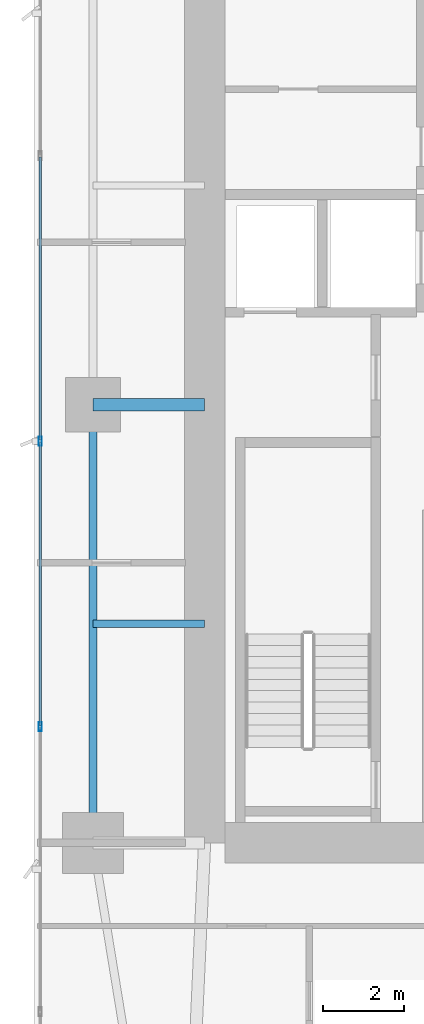
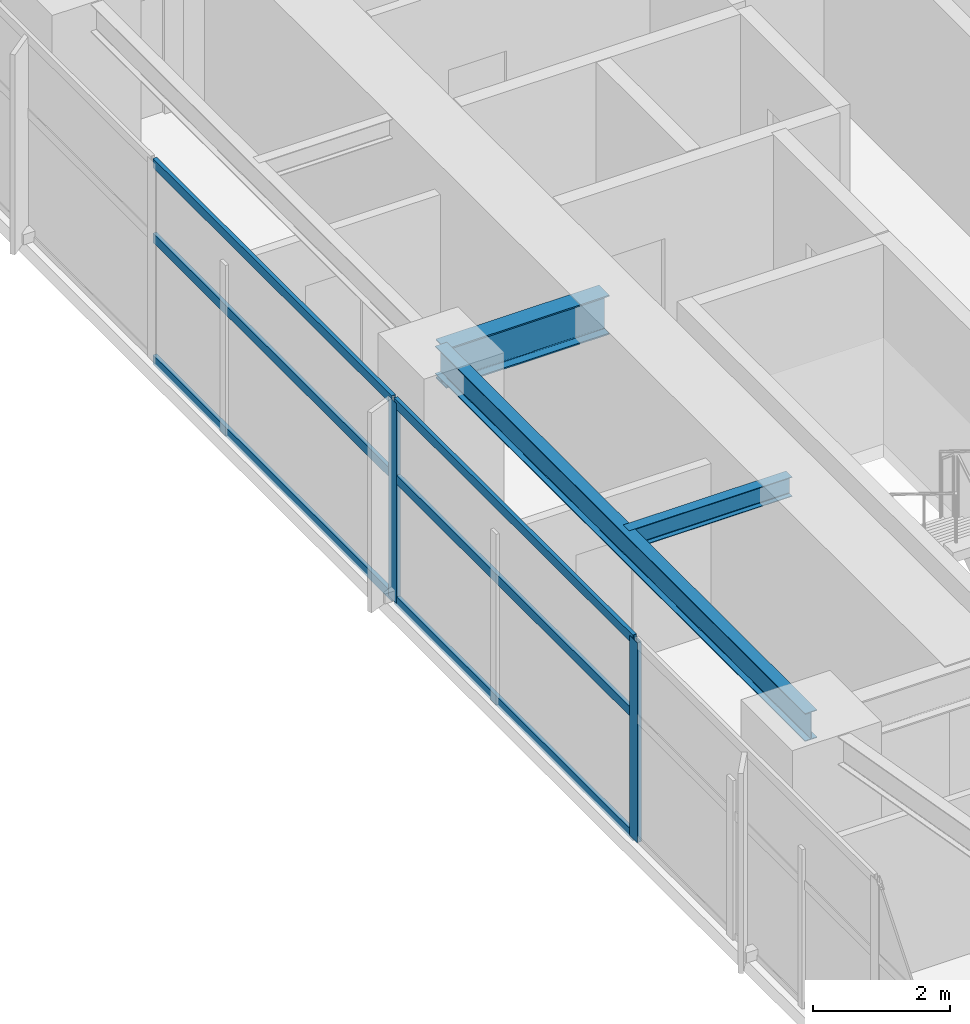
# One storey, part 8 of 29: 8 members, 3 beams, 1 element without a shape of its own.
"""IFC4 building model written with IfcOpenShell, lengths in metres."""

from ifc_helpers import new_model, si_unit, direction, frame, origin, origin_2d, place, context, subcontext, project, spatial, hollow_rectangle, i_section, extrude, material, layer, layer_set, material_profile, profile_set, type_object, element, aggregate, save


model = new_model("IFC4")

# Units and contexts
model_context = context("Model", 3, precision=1e-05, world=origin(), true_north=direction((0.0, 1.0)))
body_context = subcontext(model_context, "Body", "Model", "MODEL_VIEW")
ifc_project = project(units=[si_unit("LENGTHUNIT", "METRE"), si_unit("AREAUNIT", "SQUARE_METRE"), si_unit("VOLUMEUNIT", "CUBIC_METRE"), si_unit("PLANEANGLEUNIT", "RADIAN"), si_unit("MASSUNIT", "GRAM", prefix="KILO")], contexts=[model_context])

# Site, building, storey
site_placement = place(None, origin())
site = spatial("IfcSite", under=ifc_project, at=site_placement, CompositionType="ELEMENT")
building_placement = place(site_placement, origin())
building = spatial("IfcBuilding", under=site, at=building_placement, Name="Calvorn Quay Hotel", CompositionType="ELEMENT")
storey_placement = place(building_placement, frame((0.0, 0.0, 85.0)))
storey = spatial("IfcBuildingStorey", under=building, at=storey_placement, Name="L20", CompositionType="ELEMENT", Elevation=85.0)

# Beams
ifc_material_1 = material(Name="Steel Q390GJC", Category="steel")
ifc_material_profile_1 = material_profile(ifc_material_1, i_section(OverallWidth=0.300048828125, OverallDepth=0.699951171875, WebThickness=0.012939453125, FlangeThickness=0.02392578125, FilletRadius=0.02392578125, at=origin_2d()), Name="HN700x300x13x24")
ifc_profile_set_1 = profile_set([ifc_material_profile_1], Name="Steel Q390GJC")
beam_type_1 = type_object("IfcBeamType", Name="BM-GIRD-MAIN", PredefinedType="BEAM", material=ifc_profile_set_1)
beam_1_placement = place(storey_placement, frame((1.449951171875, 27.60009765625, 3.18994140625), z_axis=(1.0, 0.0, 0.0), x_axis=(0.0, 1.0, 0.0)))
element("IfcBeam", 1, at=beam_1_placement, inside=storey, type_object=beam_type_1, Name="Beam BG-L20-W2", PredefinedType="BEAM", context=body_context, shape_type="SweptSolid", body=[
    extrude(i_section(OverallWidth=0.300048828125, OverallDepth=0.699951171875, WebThickness=0.012939453125, FlangeThickness=0.02392578125, FilletRadius=0.02392578125, at=origin_2d()), origin(), (0.0, 0.0, 1.0), 2.75),
])
ifc_material_2 = material(Name="Steel Q355B", Category="steel")
ifc_material_profile_2 = material_profile(ifc_material_2, i_section(OverallWidth=0.175048828125, OverallDepth=0.35009765625, WebThickness=0.007080078125, FlangeThickness=0.010986328125, FilletRadius=0.013916015625, at=origin_2d()), Name="HN350x175x7x11")
ifc_profile_set_2 = profile_set([ifc_material_profile_2], Name="Steel Q355B")
beam_type_2 = type_object("IfcBeamType", Name="BM-JOIST-SEC", PredefinedType="JOIST", material=ifc_profile_set_2)
beam_2_placement = place(storey_placement, frame((1.449951171875, 22.199951171875, 3.364990234375), z_axis=(1.0, 0.0, 0.0), x_axis=(0.0, 1.0, 0.0)))
element("IfcBeam", 2, at=beam_2_placement, inside=storey, type_object=beam_type_2, Name="Beam BJ-L20-W3", PredefinedType="JOIST", context=body_context, shape_type="SweptSolid", body=[
    extrude(i_section(OverallWidth=0.175048828125, OverallDepth=0.35009765625, WebThickness=0.007080078125, FlangeThickness=0.010986328125, FilletRadius=0.013916015625, at=origin_2d()), origin(), (0.0, 0.0, 1.0), 2.75),
])
ifc_material_3 = material(Name="Steel Q355B", Category="steel")
ifc_material_profile_3 = material_profile(ifc_material_3, i_section(OverallWidth=0.199951171875, OverallDepth=0.5, WebThickness=0.010009765625, FlangeThickness=0.01611328125, FilletRadius=0.01611328125, at=origin_2d()), Name="HN500x200x10x16")
ifc_profile_set_3 = profile_set([ifc_material_profile_3], Name="Steel Q355B")
beam_type_3 = type_object("IfcBeamType", Name="BM-SPANDREL-Z1", PredefinedType="SPANDREL", material=ifc_profile_set_3)
beam_3_placement = place(storey_placement, frame((1.449951171875, 16.800048828125, 3.2900390625), z_axis=(0.0, 1.0, 0.0), x_axis=(-1.0, 0.0, 0.0)))
element("IfcBeam", 3, at=beam_3_placement, inside=storey, type_object=beam_type_3, Name="Beam BSP-L20-W2", PredefinedType="SPANDREL", context=body_context, shape_type="SweptSolid", body=[
    extrude(i_section(OverallWidth=0.199951171875, OverallDepth=0.5, WebThickness=0.010009765625, FlangeThickness=0.01611328125, FilletRadius=0.01611328125, at=origin_2d()), origin(), (0.0, 0.0, 1.0), 10.800048828125),
])

# Curtain wall, members
ifc_material_4 = material(Name="Pale Anodised Aluminium and Low-E Glass", Category="aluminium")
ifc_layer = layer(ifc_material_4, 0.219970703125)
ifc_layer_set = layer_set([ifc_layer], Name="CW-SYS-Z1")
curtain_wall_type = type_object("IfcCurtainWallType", Name="CW-SYS-Z1", PredefinedType="NOTDEFINED", material=ifc_layer_set)
curtain_wall_placement = place(storey_placement, origin())
curtain_wall = element("IfcCurtainWall", 4, at=curtain_wall_placement, inside=storey, type_object=curtain_wall_type, Name="Tower West Curtain Wall (L20)", PredefinedType="NOTDEFINED")
ifc_material_5 = material(Name="Pale Anodised Aluminium 6063-T6", Category="aluminium")
ifc_material_profile_4 = material_profile(ifc_material_5, hollow_rectangle(XDim=0.074951171875, YDim=0.219970703125, WallThickness=0.00439453125, at=origin_2d()), Name="ALU-M220x75x4.5")
ifc_profile_set_4 = profile_set([ifc_material_profile_4], Name="Pale Anodised Aluminium 6063-T6")
member_type_1 = type_object("IfcMemberType", Name="CW-SYS-Z1-MUL", PredefinedType="MULLION", material=ifc_profile_set_4)
member_1_placement = place(storey_placement, frame((0.14990234375, 19.666748046875, 0.0), z_axis=(0.0, 0.0, 1.0), x_axis=(-1.0, 0.0, 0.0)))
member_1 = element("IfcMember", 5, at=member_1_placement, type_object=member_type_1, Name="CW-L20-W mullion 3", PredefinedType="MULLION", context=body_context, shape_type="SweptSolid", body=[
    extrude(hollow_rectangle(XDim=0.074951171875, YDim=0.219970703125, WallThickness=0.00439453125, at=origin_2d()), origin(), (0.0, 0.0, 1.0), 3.56005859375),
])
member_2_placement = place(storey_placement, frame((0.14990234375, 26.699951171875, 0.0), z_axis=(0.0, 0.0, 1.0), x_axis=(-1.0, 0.0, 0.0)))
member_2 = element("IfcMember", 6, at=member_2_placement, type_object=member_type_1, Name="CW-L20-W mullion 4", PredefinedType="MULLION", context=body_context, shape_type="SweptSolid", body=[
    extrude(hollow_rectangle(XDim=0.074951171875, YDim=0.219970703125, WallThickness=0.00439453125, at=origin_2d()), origin(), (0.0, 0.0, 1.0), 3.56005859375),
])
ifc_material_6 = material(Name="Pale Anodised Aluminium 6063-T6", Category="aluminium")
ifc_material_profile_5 = material_profile(ifc_material_6, hollow_rectangle(XDim=0.06494140625, YDim=0.1650390625, WallThickness=0.00341796875, at=origin_2d()), Name="ALU-T165x65x3.5")
ifc_profile_set_5 = profile_set([ifc_material_profile_5], Name="Pale Anodised Aluminium 6063-T6")
member_type_2 = type_object("IfcMemberType", Name="CW-SYS-Z1-TRN", PredefinedType="USERDEFINED", material=ifc_profile_set_5)
member_3_placement = place(storey_placement, frame((0.14990234375, 19.69677734375, 0.030029296875), z_axis=(0.0, 1.0, 0.0), x_axis=(-1.0, 0.0, 0.0)))
member_3 = element("IfcMember", 7, at=member_3_placement, type_object=member_type_2, Name="CW-L20-W transom 3.1", ObjectType="TRANSOM", PredefinedType="USERDEFINED", context=body_context, shape_type="SweptSolid", body=[
    extrude(hollow_rectangle(XDim=0.06494140625, YDim=0.1650390625, WallThickness=0.00341796875, at=origin_2d()), origin(), (0.0, 0.0, 1.0), 6.97314453125),
])
member_4_placement = place(storey_placement, frame((0.14990234375, 19.69677734375, 2.199951171875), z_axis=(0.0, 1.0, 0.0), x_axis=(-1.0, 0.0, 0.0)))
member_4 = element("IfcMember", 8, at=member_4_placement, type_object=member_type_2, Name="CW-L20-W transom 3.2", ObjectType="TRANSOM", PredefinedType="USERDEFINED", context=body_context, shape_type="SweptSolid", body=[
    extrude(hollow_rectangle(XDim=0.06494140625, YDim=0.1650390625, WallThickness=0.00341796875, at=origin_2d()), origin(), (0.0, 0.0, 1.0), 6.97314453125),
])
member_5_placement = place(storey_placement, frame((0.14990234375, 19.69677734375, 3.530029296875), z_axis=(0.0, 1.0, 0.0), x_axis=(-1.0, 0.0, 0.0)))
member_5 = element("IfcMember", 9, at=member_5_placement, type_object=member_type_2, Name="CW-L20-W transom 3.3", ObjectType="TRANSOM", PredefinedType="USERDEFINED", context=body_context, shape_type="SweptSolid", body=[
    extrude(hollow_rectangle(XDim=0.06494140625, YDim=0.1650390625, WallThickness=0.00341796875, at=origin_2d()), origin(), (0.0, 0.0, 1.0), 6.97314453125),
])
member_6_placement = place(storey_placement, frame((0.14990234375, 26.72998046875, 0.030029296875), z_axis=(0.0, 1.0, 0.0), x_axis=(-1.0, 0.0, 0.0)))
member_6 = element("IfcMember", 10, at=member_6_placement, type_object=member_type_2, Name="CW-L20-W transom 4.1", ObjectType="TRANSOM", PredefinedType="USERDEFINED", context=body_context, shape_type="SweptSolid", body=[
    extrude(hollow_rectangle(XDim=0.06494140625, YDim=0.1650390625, WallThickness=0.00341796875, at=origin_2d()), origin(), (0.0, 0.0, 1.0), 6.973388671875),
])
member_7_placement = place(storey_placement, frame((0.14990234375, 26.72998046875, 2.199951171875), z_axis=(0.0, 1.0, 0.0), x_axis=(-1.0, 0.0, 0.0)))
member_7 = element("IfcMember", 11, at=member_7_placement, type_object=member_type_2, Name="CW-L20-W transom 4.2", ObjectType="TRANSOM", PredefinedType="USERDEFINED", context=body_context, shape_type="SweptSolid", body=[
    extrude(hollow_rectangle(XDim=0.06494140625, YDim=0.1650390625, WallThickness=0.00341796875, at=origin_2d()), origin(), (0.0, 0.0, 1.0), 6.973388671875),
])
member_8_placement = place(storey_placement, frame((0.14990234375, 26.72998046875, 3.530029296875), z_axis=(0.0, 1.0, 0.0), x_axis=(-1.0, 0.0, 0.0)))
member_8 = element("IfcMember", 12, at=member_8_placement, type_object=member_type_2, Name="CW-L20-W transom 4.3", ObjectType="TRANSOM", PredefinedType="USERDEFINED", context=body_context, shape_type="SweptSolid", body=[
    extrude(hollow_rectangle(XDim=0.06494140625, YDim=0.1650390625, WallThickness=0.00341796875, at=origin_2d()), origin(), (0.0, 0.0, 1.0), 6.973388671875),
])
aggregate(curtain_wall, [member_1, member_2, member_3, member_4, member_5, member_6, member_7, member_8])

save(model, "model.ifc")
